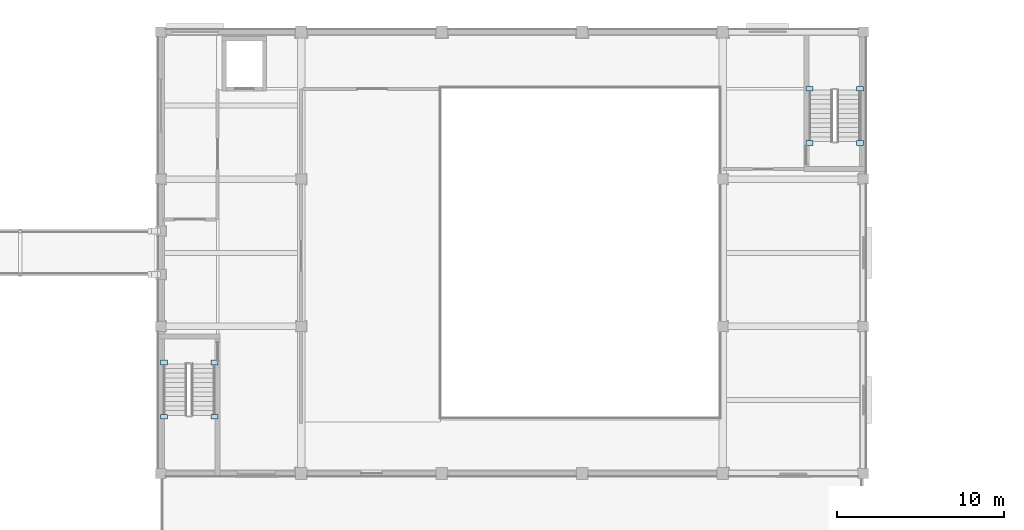
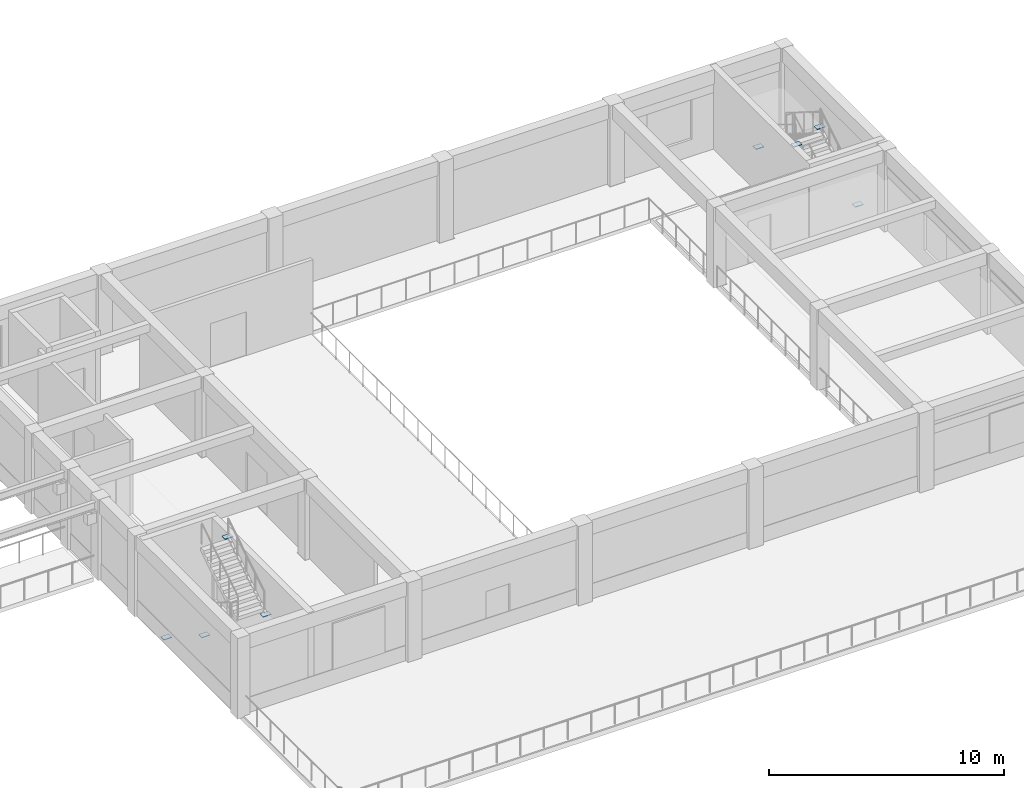
# One storey, part 32 of 57: 8 plates.
"""IFC4 building model written with IfcOpenShell, lengths in metres."""

from ifc_helpers import new_model, si_unit, direction, frame, origin, origin_2d, place, context, subcontext, project, spatial, rectangle, extrude, material, layer, layer_set, type_object, element, save


model = new_model("IFC4")

# Units and contexts
model_context = context("Model", 3, precision=1e-05, world=origin(), true_north=direction((0.0, 1.0)))
body_context = subcontext(model_context, "Body", "Model", "MODEL_VIEW")
ifc_project = project(units=[si_unit("LENGTHUNIT", "METRE"), si_unit("AREAUNIT", "SQUARE_METRE"), si_unit("VOLUMEUNIT", "CUBIC_METRE"), si_unit("PLANEANGLEUNIT", "RADIAN"), si_unit("MASSUNIT", "GRAM", prefix="KILO")], contexts=[model_context])

# Site, building, storey
site_placement = place(None, origin())
site = spatial("IfcSite", under=ifc_project, at=site_placement, CompositionType="ELEMENT")
building_placement = place(site_placement, origin())
building = spatial("IfcBuilding", under=site, at=building_placement, Name="Kemercrest Conservatory and Botanical Centre", CompositionType="ELEMENT")
storey_placement = place(building_placement, frame((0.0, 0.0, 4.800048828125)))
storey = spatial("IfcBuildingStorey", under=building, at=storey_placement, Name="L01", CompositionType="ELEMENT", Elevation=4.800048828125)

# Plates
ifc_material = material(Name="Steel CSA G40.21 350W", Category="steel")
ifc_layer = layer(ifc_material, 0.030029296875)
ifc_layer_set = layer_set([ifc_layer], Name="Steel CSA G40.21 350W")
plate_type = type_object("IfcPlateType", Name="GN-05", PredefinedType="USERDEFINED", material=ifc_layer_set)
for number, where, z_axis, x_axis, name in (
    (1, (58.590087890625, 23.43994140625, -0.115234375), (0.0, 0.0, 1.0), (1.0, 0.0, 0.0), "Stair stringer base node cap GN-05 #13"),
    (2, (58.590087890625, 20.199951171875, 1.96484375), (0.0, 0.0, 1.0), (1.0, 0.0, 0.0), "Stair stringer head node cap GN-05 #13"),
    (3, (61.610107421875, 23.43994140625, 4.06494140625), (0.0, 0.0, 1.0), (1.0, 0.0, 0.0), "Stair stringer base node cap GN-05 #14"),
    (4, (61.610107421875, 20.199951171875, 1.98486328125), (0.0, 0.0, 1.0), (1.0, 0.0, 0.0), "Stair stringer head node cap GN-05 #14"),
    (5, (100.2099609375, 36.56005859375, -0.115234375), (0.0, 0.0, 1.0), (1.0, 0.0, 0.0), "Stair stringer base node cap GN-05 #19"),
    (6, (100.2099609375, 39.800048828125, 1.96484375), (0.0, 0.0, 1.0), (1.0, 0.0, 0.0), "Stair stringer head node cap GN-05 #19"),
    (7, (97.18994140625, 36.56005859375, 4.06494140625), (0.0, 0.0, 1.0), (1.0, 0.0, 0.0), "Stair stringer base node cap GN-05 #20"),
    (8, (97.18994140625, 39.800048828125, 1.98486328125), (0.0, 0.0, 1.0), (1.0, 0.0, 0.0), "Stair stringer head node cap GN-05 #20"),
):
    element("IfcPlate", number, at=place(storey_placement, frame(where, z_axis=z_axis, x_axis=x_axis)), inside=storey, type_object=plate_type, Name=name, ObjectType="GUSSET PLATE", PredefinedType="USERDEFINED", context=body_context, shape_type="SweptSolid", body=[
        extrude(rectangle(XDim=0.39990234375, YDim=0.280029296875, at=origin_2d()), origin(), (0.0, 0.0, 1.0), 0.030029296875),
    ])

save(model, "model.ifc")
